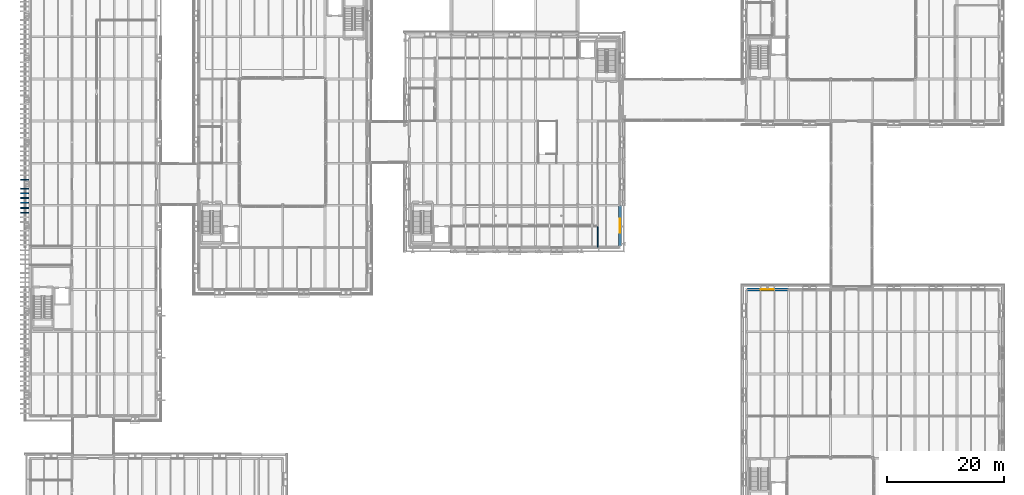
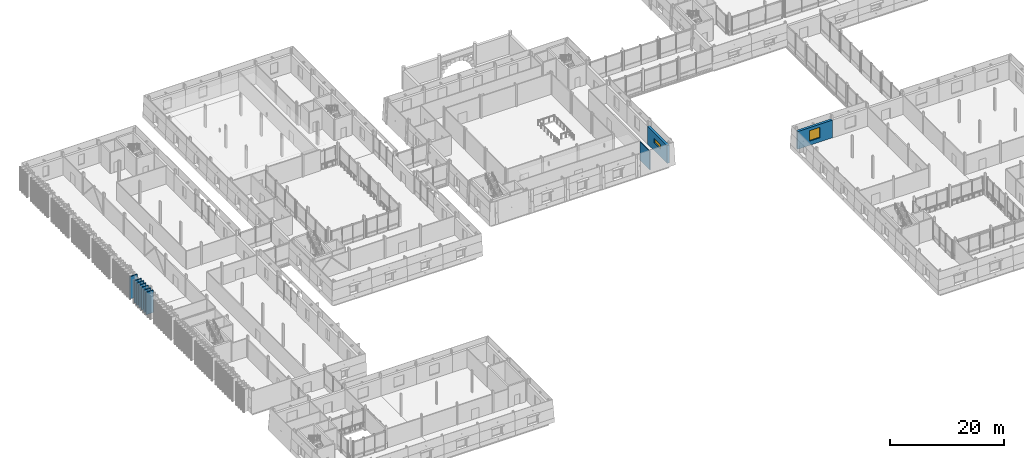
# One storey, part 79 of 121: 10 walls, 2 windows, 2 openings.
"""IFC4 building model written with IfcOpenShell, lengths in metres."""

from ifc_helpers import new_model, si_unit, direction, frame, frame_2d, origin, place, context, subcontext, project, spatial, rectangle, extrude, material, layer, layer_set, type_object, element, fill, save


model = new_model("IFC4")

# Units and contexts
model_context = context("Model", 3, precision=1e-05, world=origin(), true_north=direction((0.0, 1.0)))
body_context = subcontext(model_context, "Body", "Model", "MODEL_VIEW")
ifc_project = project(units=[si_unit("LENGTHUNIT", "METRE"), si_unit("AREAUNIT", "SQUARE_METRE"), si_unit("VOLUMEUNIT", "CUBIC_METRE"), si_unit("PLANEANGLEUNIT", "RADIAN"), si_unit("MASSUNIT", "GRAM", prefix="KILO")], contexts=[model_context])

# Site, building, storey
site_placement = place(None, origin())
site = spatial("IfcSite", under=ifc_project, at=site_placement, CompositionType="ELEMENT")
building_placement = place(site_placement, origin())
building = spatial("IfcBuilding", under=site, at=building_placement, Name="Narikvali Park Central Library", CompositionType="ELEMENT")
storey_placement = place(building_placement, frame((0.0, 0.0, 5.39990234375)))
storey = spatial("IfcBuildingStorey", under=building, at=storey_placement, Name="L01", CompositionType="ELEMENT", Elevation=5.39990234375)

# Walls
ifc_material_1 = material(Name="Kiln-Fired Terracotta Red Brick Masonry", Category="masonry")
ifc_layer_1 = layer(ifc_material_1, 0.199951171875, Name="Kiln-Fired Terracotta Red Brick Masonry")
ifc_layer_set_1 = layer_set([ifc_layer_1], Name="Kiln-Fired Terracotta Red Brick Masonry")
wall_type_1 = type_object("IfcWallType", Name="Kiln-Fired Red Brick Vertical Fin Wall 200", PredefinedType="SOLIDWALL", material=ifc_layer_set_1)
for number, where, z_axis, x_axis, name in (
    (1, (-1.659912109375, 63.550048828125, 0.0), (0.0, 0.0, 1.0), (1.0, 0.0, 0.0), "West Stacks Red Brick Vertical Fin Pier 206"),
    (2, (-1.659912109375, 64.35009765625, 0.0), (0.0, 0.0, 1.0), (1.0, 0.0, 0.0), "West Stacks Red Brick Vertical Fin Pier 212"),
    (3, (-1.659912109375, 65.25, 0.0), (0.0, 0.0, 1.0), (1.0, 0.0, 0.0), "West Stacks Red Brick Vertical Fin Pier 218"),
    (4, (-1.659912109375, 66.050048828125, 0.0), (0.0, 0.0, 1.0), (1.0, 0.0, 0.0), "West Stacks Red Brick Vertical Fin Pier 224"),
    (5, (-1.659912109375, 66.85009765625, 0.0), (0.0, 0.0, 1.0), (1.0, 0.0, 0.0), "West Stacks Red Brick Vertical Fin Pier 230"),
    (6, (-1.659912109375, 67.64990234375, 0.0), (0.0, 0.0, 1.0), (1.0, 0.0, 0.0), "West Stacks Red Brick Vertical Fin Pier 236"),
    (7, (-1.659912109375, 69.14990234375, 0.0), (0.0, 0.0, 1.0), (1.0, 0.0, 0.0), "West Stacks Red Brick Vertical Fin Pier 242"),
):
    element("IfcWall", number, at=place(storey_placement, frame(where, z_axis=z_axis, x_axis=x_axis)), inside=storey, type_object=wall_type_1, Name=name, PredefinedType="SOLIDWALL", context=body_context, shape_type="SweptSolid", body=[
        extrude(rectangle(XDim=1.43994140625, YDim=0.199951171875, at=frame_2d((0.719970703125, 0.0))), origin(), (0.0, 0.0, 1.0), 4.800048828125),
    ])
ifc_material_2 = material(Name="Acoustic Gypsum on Steel Studs", Category="steel")
ifc_layer_2 = layer(ifc_material_2, 0.179931640625, Name="Acoustic Gypsum on Steel Studs")
ifc_layer_set_2 = layer_set([ifc_layer_2], Name="Acoustic Gypsum on Steel Studs")
wall_type_2 = type_object("IfcWallType", Name="Reading Room Acoustic Partition 180", PredefinedType="PARTITIONING", material=ifc_layer_set_2)
wall_1_placement = place(storey_placement, frame((97.0, 57.655029296875, 0.0), z_axis=(0.0, 0.0, 1.0), x_axis=(0.0, 1.0, 0.0)))
element("IfcWall", 8, at=wall_1_placement, inside=storey, type_object=wall_type_2, Name="Classical Literature Reading Alcove Partition W", PredefinedType="PARTITIONING", context=body_context, shape_type="SweptSolid", body=[
    extrude(rectangle(XDim=3.472900390625, YDim=0.179931640625, at=frame_2d((1.736328125, 0.0))), origin(), (0.0, 0.0, 1.0), 3.955078125),
])

# Wall, opening, window
ifc_material_3 = material(Name="White Honed Limestone over Concrete C35/45", Category="masonry")
ifc_layer_3 = layer(ifc_material_3, 0.47998046875, Name="White Honed Limestone over Concrete C35/45")
ifc_layer_set_3 = layer_set([ifc_layer_3], Name="White Honed Limestone over Concrete C35/45")
wall_type_3 = type_object("IfcWallType", Name="White Limestone Battered Tier1 Wall 480", PredefinedType="SOLIDWALL", material=ifc_layer_set_3)
wall_2_placement = place(storey_placement, frame((100.800048828125, 57.85400390625, 0.0), z_axis=(0.0, 0.0, 1.0), x_axis=(0.0, 1.0, 0.0)))
wall_2 = element("IfcWall", 9, at=wall_2_placement, inside=storey, type_object=wall_type_3, Name="V1 L01 E Exterior Limestone Wall B01", PredefinedType="SOLIDWALL", context=body_context, shape_type="SweptSolid", body=[
    extrude(rectangle(XDim=6.946044921875, YDim=0.47998046875, at=frame_2d((3.47314453125, 0.0))), origin(), (0.0, 0.0, 1.0), 3.800048828125),
])
opening_1_placement = place(wall_2_placement, frame((2.27294921875, 0.0, 1.64990234375)))
opening_1 = element("IfcOpeningElement", 10, at=opening_1_placement, cuts=wall_2, Name="Opening SKY-02", PredefinedType="OPENING", context=body_context, shape_type="SweptSolid", body=[
    extrude(rectangle(XDim=2.39990234375, YDim=0.949951171875, at=frame_2d((1.199951171875, 0.47509765625))), frame((0.0, 0.251953125, 0.0), z_axis=(0.0, -1.0, 0.0), x_axis=(1.0, 0.0, 0.0)), (0.0, 0.0, 1.0), 0.50390625),
])
ifc_material_4 = material(Name="Laminated Solar-Control Skylight Glazing", Category="glass")
window_type_1 = type_object("IfcWindowType", Name="Atrium Roof Acoustic Skylight 2400x2400", PartitioningType="SINGLE_PANEL", PredefinedType="SKYLIGHT", material=ifc_material_4)
window_1_placement = place(opening_1_placement, origin())
window_1 = element("IfcWindow", 11, at=window_1_placement, inside=storey, type_object=window_type_1, Name="V1 Clerestory Lantern Skylight SKY-02", OverallHeight=0.949951171875, OverallWidth=2.39990234375, PartitioningType="SINGLE_PANEL", PredefinedType="SKYLIGHT", context=body_context, shape_type="SweptSolid", body=[
    extrude(rectangle(XDim=2.39990234375, YDim=0.949951171875, at=frame_2d((1.199951171875, 0.47509765625))), frame((0.0, 0.030029296875, 0.0), z_axis=(0.0, -1.0, 0.0), x_axis=(1.0, 0.0, 0.0)), (0.0, 0.0, 1.0), 0.06005859375),
])
fill(opening_1, window_1)

wall_3_placement = place(storey_placement, frame((129.60009765625, 50.39990234375, 0.0), z_axis=(0.0, 0.0, 1.0), x_axis=(-1.0, 0.0, 0.0)))
wall_3 = element("IfcWall", 12, at=wall_3_placement, inside=storey, type_object=wall_type_3, Name="V6 L01 N Exterior Limestone Wall B06", PredefinedType="SOLIDWALL", context=body_context, shape_type="SweptSolid", body=[
    extrude(rectangle(XDim=7.046142578125, YDim=0.47998046875, at=frame_2d((3.52294921875, 0.0))), origin(), (0.0, 0.0, 1.0), 3.800048828125),
])
opening_2_placement = place(wall_3_placement, frame((2.5, 0.0, 0.89990234375)))
opening_2 = element("IfcOpeningElement", 13, at=opening_2_placement, cuts=wall_3, Name="Opening WIN-0376", PredefinedType="OPENING", context=body_context, shape_type="SweptSolid", body=[
    extrude(rectangle(XDim=2.199951171875, YDim=2.25, at=frame_2d((1.10009765625, 1.125))), frame((0.0, 0.251953125, 0.0), z_axis=(0.0, -1.0, 0.0), x_axis=(1.0, 0.0, 0.0)), (0.0, 0.0, 1.0), 0.50390625),
])
ifc_material_5 = material(Name="Anodised Bronze Aluminium and Low-E Triple Glazing", Category="aluminium")
window_type_2 = type_object("IfcWindowType", Name="Community & Fine Arts Studio Window 2200x2250", PartitioningType="TRIPLE_PANEL_VERTICAL", PredefinedType="WINDOW", material=ifc_material_5)
window_2_placement = place(opening_2_placement, origin())
window_2 = element("IfcWindow", 14, at=window_2_placement, inside=storey, type_object=window_type_2, Name="V6 L01 N Deep-Reveal Window WIN-0376", OverallHeight=2.25, OverallWidth=2.199951171875, PartitioningType="SINGLE_PANEL", PredefinedType="WINDOW", context=body_context, shape_type="SweptSolid", body=[
    extrude(rectangle(XDim=2.199951171875, YDim=2.25, at=frame_2d((1.10009765625, 1.125))), frame((0.0, 0.030029296875, 0.0), z_axis=(0.0, -1.0, 0.0), x_axis=(1.0, 0.0, 0.0)), (0.0, 0.0, 1.0), 0.06005859375),
])
fill(opening_2, window_2)

save(model, "model.ifc")
